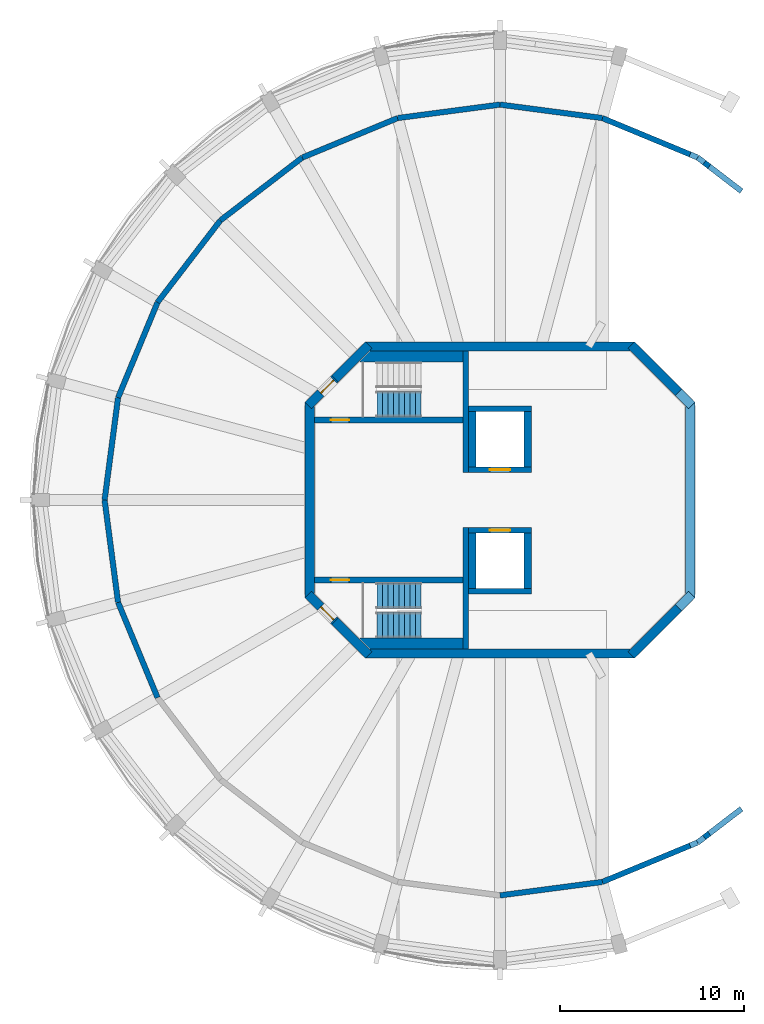
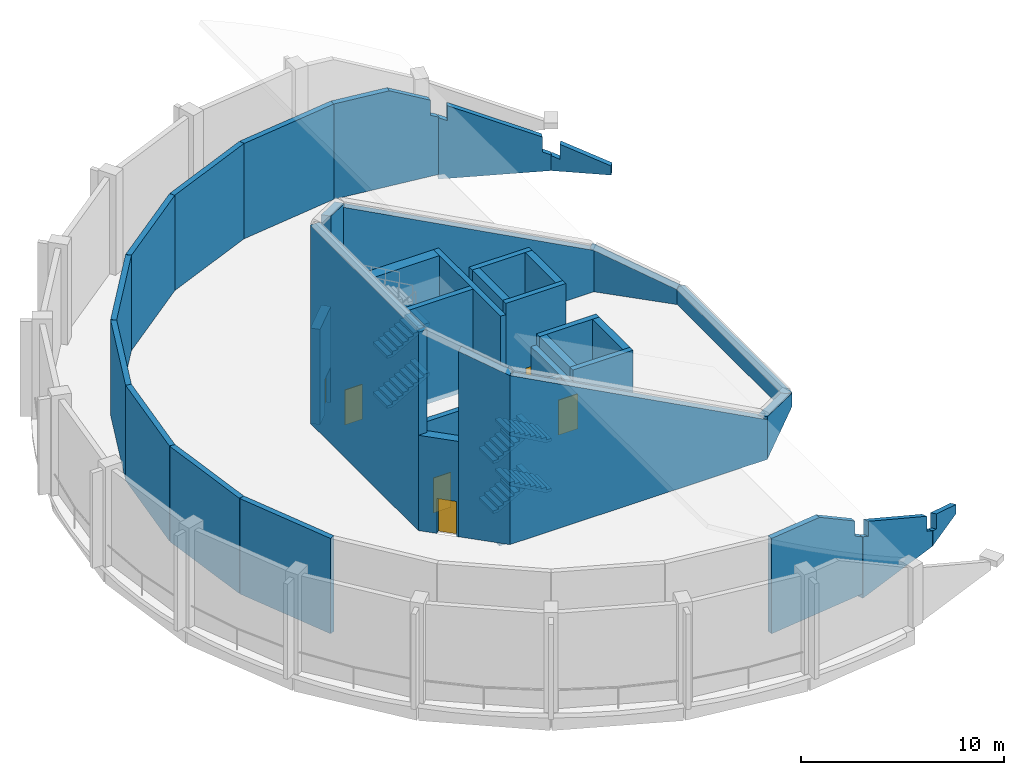
# One storey, part 2 of 5: 38 walls, 6 doors, 6 stair flights, 6 openings, 2 elements without a shape of their own.
"""IFC4 building model written with IfcOpenShell, lengths in metres."""

from ifc_helpers import new_model, si_unit, direction, frame, frame_2d, origin, place, context, subcontext, project, spatial, polyline, rectangle, outline, extrude, material, layer, layer_set, type_object, element, fill, aggregate, save


model = new_model("IFC4")

# Units and contexts
model_context = context("Model", 3, precision=1e-05, world=origin(), true_north=direction((0.0, 1.0)))
body_context = subcontext(model_context, "Body", "Model", "MODEL_VIEW")
ifc_project = project(units=[si_unit("LENGTHUNIT", "METRE"), si_unit("AREAUNIT", "SQUARE_METRE"), si_unit("VOLUMEUNIT", "CUBIC_METRE"), si_unit("PLANEANGLEUNIT", "RADIAN"), si_unit("MASSUNIT", "GRAM", prefix="KILO")], contexts=[model_context])

# Site, building, storey
site_placement = place(None, origin())
site = spatial("IfcSite", under=ifc_project, at=site_placement, CompositionType="ELEMENT")
building_placement = place(site_placement, origin())
building = spatial("IfcBuilding", under=site, at=building_placement, Name="Torre Triforio", CompositionType="ELEMENT")
storey_placement = place(building_placement, frame((0.0, 0.0, 296.800048828125)))
storey = spatial("IfcBuildingStorey", under=building, at=storey_placement, Name="RF-2", CompositionType="ELEMENT", Elevation=296.800048828125)

# Walls
ifc_material_1 = material(Name="Concrete C40", Category="concrete")
ifc_layer_1 = layer(ifc_material_1, 0.5)
ifc_layer_set_1 = layer_set([ifc_layer_1], Name="Concrete C40")
wall_type_1 = type_object("IfcWallType", Name="Core head wall 500 C40", PredefinedType="SOLIDWALL", material=ifc_layer_set_1)
wall_1_placement = place(storey_placement, frame((10.35009765625, -5.30712890625, 0.0), z_axis=(0.0, 0.0, 1.0), x_axis=(0.0, 1.0, 0.0)))
element("IfcWall", 1, at=wall_1_placement, inside=storey, type_object=wall_type_1, Name="WL.HEAD.1", PredefinedType="SOLIDWALL", context=body_context, shape_type="SweptSolid", body=[
    extrude(outline(polyline([(0.0, 0.0), (10.6142578125, 0.0), (10.6142578125, 0.894287109375), (0.0, 0.894287109375), (0.0, 0.0)])), frame((0.0, 0.25, 0.0), z_axis=(0.0, -1.0, 0.0), x_axis=(1.0, 0.0, 0.0)), (0.0, 0.0, 1.0), 0.5),
])
wall_2_placement = place(storey_placement, frame((-7.30712890625, 8.35009765625, 0.0), z_axis=(0.0, 0.0, 1.0), x_axis=(1.0, 0.0, 0.0)))
element("IfcWall", 2, at=wall_2_placement, inside=storey, type_object=wall_type_1, Name="WL.HEAD.2", PredefinedType="SOLIDWALL", context=body_context, shape_type="SweptSolid", body=[
    extrude(outline(polyline([(0.0, 0.0), (14.6142578125, 0.0), (14.6142578125, 2.37939453125), (0.0, 10.14990234375), (0.0, 0.0)])), frame((0.0, 0.25, 0.0), z_axis=(0.0, -1.0, 0.0), x_axis=(1.0, 0.0, 0.0)), (0.0, 0.0, 1.0), 0.5),
])
wall_3_placement = place(storey_placement, frame((7.13037109375, 8.42333984375, 0.0), z_axis=(0.0, 0.0, 1.0), x_axis=(0.707106781187, -0.707106781187, 0.0)))
element("IfcWall", 3, at=wall_3_placement, inside=storey, type_object=wall_type_1, Name="WL.HEAD.3", PredefinedType="SOLIDWALL", context=body_context, shape_type="SweptSolid", body=[
    extrude(outline(polyline([(0.0, 0.0), (4.656982421875, 0.0), (4.65673828125, 0.81640625), (0.0, 2.5673828125), (0.0, 0.0)])), frame((0.0, 0.25, 0.0), z_axis=(0.0, -1.0, 0.0), x_axis=(1.0, 0.0, 0.0)), (0.0, 0.0, 1.0), 0.5),
])
wall_4_placement = place(storey_placement, frame((-8.96875, 6.5849609375, 0.0), z_axis=(0.0, 0.0, 1.0), x_axis=(0.707106781187, 0.707106781187, 0.0)))
element("IfcWall", 4, at=wall_4_placement, inside=storey, type_object=wall_type_1, Name="WL.HEAD.4.2", PredefinedType="SOLIDWALL", context=body_context, shape_type="SweptSolid", body=[
    extrude(outline(polyline([(0.0, 0.0), (2.599853515625, 0.0), (2.599853515625, 10.14990234375), (0.0, 11.127197265625), (0.0, 0.0)])), frame((0.0, 0.25, 0.0), z_axis=(0.0, -1.0, 0.0), x_axis=(1.0, 0.0, 0.0)), (0.0, 0.0, 1.0), 0.5),
])
wall_5_placement = place(storey_placement, frame((-7.30712890625, -8.35009765625, 0.0), z_axis=(0.0, 0.0, 1.0), x_axis=(1.0, 0.0, 0.0)))
element("IfcWall", 5, at=wall_5_placement, inside=storey, type_object=wall_type_1, Name="WL.HEAD.5", PredefinedType="SOLIDWALL", context=body_context, shape_type="SweptSolid", body=[
    extrude(outline(polyline([(0.0, 0.0), (14.6142578125, 0.0), (14.6142578125, 2.37939453125), (0.0, 10.14990234375), (0.0, 0.0)])), frame((0.0, 0.25, 0.0), z_axis=(0.0, -1.0, 0.0), x_axis=(1.0, 0.0, 0.0)), (0.0, 0.0, 1.0), 0.5),
])
wall_6_placement = place(storey_placement, frame((10.42333984375, -5.13037109375, 0.0), z_axis=(0.0, 0.0, 1.0), x_axis=(-0.707106781187, -0.707106781187, 0.0)))
element("IfcWall", 6, at=wall_6_placement, inside=storey, type_object=wall_type_1, Name="WL.HEAD.6", PredefinedType="SOLIDWALL", context=body_context, shape_type="SweptSolid", body=[
    extrude(outline(polyline([(0.0, 0.0), (4.656982421875, 0.0), (4.65673828125, 2.5673828125), (0.0, 0.81640625), (0.0, 0.0)])), frame((0.0, 0.25, 0.0), z_axis=(0.0, -1.0, 0.0), x_axis=(1.0, 0.0, 0.0)), (0.0, 0.0, 1.0), 0.5),
])
wall_7_placement = place(storey_placement, frame((-7.13037109375, -8.42333984375, 0.0), z_axis=(0.0, 0.0, 1.0), x_axis=(-0.707106781187, 0.707106781187, 0.0)))
element("IfcWall", 7, at=wall_7_placement, inside=storey, type_object=wall_type_1, Name="WL.HEAD.7", PredefinedType="SOLIDWALL", context=body_context, shape_type="SweptSolid", body=[
    extrude(outline(polyline([(0.0, 0.0), (2.599853515625, 0.0), (2.599853515625, 11.127197265625), (0.0, 10.14990234375), (0.0, 0.0)])), frame((0.0, 0.25, 0.0), z_axis=(0.0, -1.0, 0.0), x_axis=(1.0, 0.0, 0.0)), (0.0, 0.0, 1.0), 0.5),
])
wall_8_placement = place(storey_placement, frame((-10.35009765625, -5.30712890625, 0.0), z_axis=(0.0, 0.0, 1.0), x_axis=(0.0, 1.0, 0.0)))
element("IfcWall", 8, at=wall_8_placement, inside=storey, type_object=wall_type_1, Name="WL.HEAD.8", PredefinedType="SOLIDWALL", context=body_context, shape_type="SweptSolid", body=[
    extrude(outline(polyline([(0.0, 0.0), (10.6142578125, 0.0), (10.6142578125, 11.900634765625), (0.0, 11.900634765625), (0.0, 0.0)])), frame((0.0, 0.25, 0.0), z_axis=(0.0, -1.0, 0.0), x_axis=(1.0, 0.0, 0.0)), (0.0, 0.0, 1.0), 0.5),
])
ifc_layer_2 = layer(ifc_material_1, 0.300048828125)
ifc_layer_set_2 = layer_set([ifc_layer_2], Name="Concrete C40")
wall_type_2 = type_object("IfcWallType", Name="Core wall 300 mm C40 EI 120", PredefinedType="SHEAR", material=ifc_layer_set_2)
for number, where, z_axis, x_axis, name in (
    (9, (-1.85009765625, 1.5, -0.280029296875), (0.0, 0.0, 1.0), (0.0, 1.0, 0.0), "Core wall"),
    (10, (-1.85009765625, -8.10009765625, -0.280029296875), (0.0, 0.0, 1.0), (0.0, 1.0, 0.0), "Core wall"),
):
    element("IfcWall", number, at=place(storey_placement, frame(where, z_axis=z_axis, x_axis=x_axis)), inside=storey, type_object=wall_type_2, Name=name, PredefinedType="SHEAR", context=body_context, shape_type="SweptSolid", body=[
        extrude(rectangle(XDim=6.60009765625, YDim=0.300048828125, at=frame_2d((3.300048828125, 0.0))), origin(), (0.0, 0.0, 1.0), 6.0),
    ])

# Wall, opening, door
ifc_layer_3 = layer(ifc_material_1, 0.5)
ifc_layer_set_3 = layer_set([ifc_layer_3], Name="Concrete C40")
wall_type_3 = type_object("IfcWallType", Name="Core wall 500 mm C40 EI 120", PredefinedType="SHEAR", material=ifc_layer_set_3)
wall_9_placement = place(storey_placement, frame((-10.42333984375, 5.13037109375, 0.0), z_axis=(0.0, 0.0, 1.0), x_axis=(0.707106781187, 0.707106781187, 0.0)))
wall_9 = element("IfcWall", 11, at=wall_9_placement, inside=storey, type_object=wall_type_3, Name="Core wall", PredefinedType="SHEAR", context=body_context, shape_type="SweptSolid", body=[
    extrude(rectangle(XDim=2.05712890625, YDim=0.5, at=frame_2d((1.028564453125, 0.0))), origin(), (0.0, 0.0, 1.0), 5.719970703125),
])
opening_1_placement = place(wall_9_placement, frame((0.95703125, 0.0, 0.0)))
opening_1 = element("IfcOpeningElement", 12, at=opening_1_placement, cuts=wall_9, Name="Opening ST1-XD", PredefinedType="OPENING", context=body_context, shape_type="SweptSolid", body=[
    extrude(rectangle(XDim=1.0, YDim=2.10009765625, at=frame_2d((0.5, 1.050048828125))), frame((0.0, 0.260009765625, 0.0), z_axis=(0.0, -1.0, 0.0), x_axis=(1.0, 0.0, 0.0)), (0.0, 0.0, 1.0), 0.52001953125),
])
ifc_material_2 = material(Name="Hollow metal fire door leaf")
door_type_1 = type_object("IfcDoorType", Name="Crown stair door 1000 x 2100 EI 90", OperationType="NOTDEFINED", PredefinedType="DOOR", material=ifc_material_2)
door_1_placement = place(opening_1_placement, origin())
door_1 = element("IfcDoor", 13, at=door_1_placement, inside=storey, type_object=door_type_1, Name="Core door ST1-XD", OperationType="SINGLE_SWING_RIGHT", OverallHeight=2.10009765625, OverallWidth=1.0, PredefinedType="DOOR", context=body_context, shape_type="SweptSolid", body=[
    extrude(rectangle(XDim=1.0, YDim=2.10009765625, at=frame_2d((0.5, 1.050048828125))), frame((0.0, 0.02490234375, 0.0), z_axis=(0.0, -1.0, 0.0), x_axis=(1.0, 0.0, 0.0)), (0.0, 0.0, 1.0), 0.050048828125),
])
fill(opening_1, door_1)

wall_10_placement = place(storey_placement, frame((-8.96875, -6.5849609375, 0.0), z_axis=(0.0, 0.0, 1.0), x_axis=(-0.707106781187, 0.707106781187, 0.0)))
wall_10 = element("IfcWall", 14, at=wall_10_placement, inside=storey, type_object=wall_type_3, Name="Core wall", PredefinedType="SHEAR", context=body_context, shape_type="SweptSolid", body=[
    extrude(rectangle(XDim=2.05712890625, YDim=0.5, at=frame_2d((1.028564453125, 0.0))), origin(), (0.0, 0.0, 1.0), 5.719970703125),
])
opening_2_placement = place(wall_10_placement, frame((0.10009765625, 0.0, 0.0)))
opening_2 = element("IfcOpeningElement", 15, at=opening_2_placement, cuts=wall_10, Name="Opening ST3-XD", PredefinedType="OPENING", context=body_context, shape_type="SweptSolid", body=[
    extrude(rectangle(XDim=1.0, YDim=2.10009765625, at=frame_2d((0.5, 1.050048828125))), frame((0.0, 0.260009765625, 0.0), z_axis=(0.0, -1.0, 0.0), x_axis=(1.0, 0.0, 0.0)), (0.0, 0.0, 1.0), 0.52001953125),
])
door_2_placement = place(opening_2_placement, origin())
door_2 = element("IfcDoor", 16, at=door_2_placement, inside=storey, type_object=door_type_1, Name="Core door ST3-XD", OperationType="SINGLE_SWING_LEFT", OverallHeight=2.10009765625, OverallWidth=1.0, PredefinedType="DOOR", context=body_context, shape_type="SweptSolid", body=[
    extrude(rectangle(XDim=1.0, YDim=2.10009765625, at=frame_2d((0.5, 1.050048828125))), frame((0.0, 0.02490234375, 0.0), z_axis=(0.0, -1.0, 0.0), x_axis=(1.0, 0.0, 0.0)), (0.0, 0.0, 1.0), 0.050048828125),
])
fill(opening_2, door_2)

ifc_layer_4 = layer(ifc_material_1, 0.300048828125)
ifc_layer_set_4 = layer_set([ifc_layer_4], Name="Concrete C40")
wall_type_4 = type_object("IfcWallType", Name="Shaft wall 300 mm C40 EI 120", PredefinedType="SOLIDWALL", material=ifc_layer_set_4)
wall_11_placement = place(storey_placement, frame((-1.699951171875, 1.64990234375, -0.280029296875), z_axis=(0.0, 0.0, 1.0), x_axis=(1.0, 0.0, 0.0)))
wall_11 = element("IfcWall", 17, at=wall_11_placement, inside=storey, type_object=wall_type_4, Name="Shaft wall", PredefinedType="SOLIDWALL", context=body_context, shape_type="SweptSolid", body=[
    extrude(rectangle(XDim=3.39990234375, YDim=0.300048828125, at=frame_2d((1.699951171875, 0.0))), origin(), (0.0, 0.0, 1.0), 6.668212890625),
])
opening_3_placement = place(wall_11_placement, frame((1.14990234375, 0.0, 0.280029296875)))
opening_3 = element("IfcOpeningElement", 18, at=opening_3_placement, cuts=wall_11, Name="Opening LD", PredefinedType="OPENING", context=body_context, shape_type="SweptSolid", body=[
    extrude(rectangle(XDim=1.10009765625, YDim=2.10009765625, at=frame_2d((0.550048828125, 1.050048828125))), frame((0.0, 0.159912109375, 0.0), z_axis=(0.0, -1.0, 0.0), x_axis=(1.0, 0.0, 0.0)), (0.0, 0.0, 1.0), 0.320068359375),
])
door_type_2 = type_object("IfcDoorType", Name="Landing door 1100 x 2100 EI 60", OperationType="DOUBLE_DOOR_SLIDING", PredefinedType="DOOR", material=ifc_material_2)
door_3_placement = place(opening_3_placement, origin())
door_3 = element("IfcDoor", 19, at=door_3_placement, inside=storey, type_object=door_type_2, Name="Landing door FFL1", OperationType="DOUBLE_DOOR_SLIDING", OverallHeight=2.10009765625, OverallWidth=1.10009765625, PredefinedType="DOOR", context=body_context, shape_type="SweptSolid", body=[
    extrude(rectangle(XDim=1.10009765625, YDim=2.10009765625, at=frame_2d((0.550048828125, 1.050048828125))), frame((0.0, 0.02490234375, 0.0), z_axis=(0.0, -1.0, 0.0), x_axis=(1.0, 0.0, 0.0)), (0.0, 0.0, 1.0), 0.050048828125),
])
fill(opening_3, door_3)

wall_12_placement = place(storey_placement, frame((-1.699951171875, -1.64990234375, -0.280029296875), z_axis=(0.0, 0.0, 1.0), x_axis=(1.0, 0.0, 0.0)))
wall_12 = element("IfcWall", 20, at=wall_12_placement, inside=storey, type_object=wall_type_4, Name="Shaft wall", PredefinedType="SOLIDWALL", context=body_context, shape_type="SweptSolid", body=[
    extrude(rectangle(XDim=3.39990234375, YDim=0.300048828125, at=frame_2d((1.699951171875, 0.0))), origin(), (0.0, 0.0, 1.0), 6.668212890625),
])
opening_4_placement = place(wall_12_placement, frame((1.14990234375, 0.0, 0.280029296875)))
opening_4 = element("IfcOpeningElement", 21, at=opening_4_placement, cuts=wall_12, Name="Opening LD", PredefinedType="OPENING", context=body_context, shape_type="SweptSolid", body=[
    extrude(rectangle(XDim=1.10009765625, YDim=2.10009765625, at=frame_2d((0.550048828125, 1.050048828125))), frame((0.0, 0.159912109375, 0.0), z_axis=(0.0, -1.0, 0.0), x_axis=(1.0, 0.0, 0.0)), (0.0, 0.0, 1.0), 0.320068359375),
])
door_4_placement = place(opening_4_placement, origin())
door_4 = element("IfcDoor", 22, at=door_4_placement, inside=storey, type_object=door_type_2, Name="Landing door FFL2", OperationType="DOUBLE_DOOR_SLIDING", OverallHeight=2.10009765625, OverallWidth=1.10009765625, PredefinedType="DOOR", context=body_context, shape_type="SweptSolid", body=[
    extrude(rectangle(XDim=1.10009765625, YDim=2.10009765625, at=frame_2d((0.550048828125, 1.050048828125))), frame((0.0, 0.02490234375, 0.0), z_axis=(0.0, -1.0, 0.0), x_axis=(1.0, 0.0, 0.0)), (0.0, 0.0, 1.0), 0.050048828125),
])
fill(opening_4, door_4)

# Walls
for number, where, z_axis, x_axis, name in (
    (23, (-1.699951171875, 4.949951171875, -0.280029296875), (0.0, 0.0, 1.0), (1.0, 0.0, 0.0), "Shaft wall"),
    (24, (-1.699951171875, -4.949951171875, -0.280029296875), (0.0, 0.0, 1.0), (1.0, 0.0, 0.0), "Shaft wall"),
):
    element("IfcWall", number, at=place(storey_placement, frame(where, z_axis=z_axis, x_axis=x_axis)), inside=storey, type_object=wall_type_4, Name=name, PredefinedType="SOLIDWALL", context=body_context, shape_type="SweptSolid", body=[
        extrude(rectangle(XDim=3.39990234375, YDim=0.300048828125, at=frame_2d((1.699951171875, 0.0))), origin(), (0.0, 0.0, 1.0), 6.668212890625),
    ])

# Wall, opening, door
wall_13_placement = place(storey_placement, frame((-10.10009765625, 4.35009765625, -0.280029296875), z_axis=(0.0, 0.0, 1.0), x_axis=(1.0, 0.0, 0.0)))
wall_13 = element("IfcWall", 25, at=wall_13_placement, inside=storey, type_object=wall_type_4, Name="Shaft wall", PredefinedType="SOLIDWALL", context=body_context, shape_type="SweptSolid", body=[
    extrude(rectangle(XDim=8.10009765625, YDim=0.300048828125, at=frame_2d((4.050048828125, 0.0))), origin(), (0.0, 0.0, 1.0), 6.0),
])
opening_5_placement = place(wall_13_placement, frame((0.89990234375, 0.0, 0.280029296875)))
opening_5 = element("IfcOpeningElement", 26, at=opening_5_placement, cuts=wall_13, Name="Opening ST1-RD", PredefinedType="OPENING", context=body_context, shape_type="SweptSolid", body=[
    extrude(rectangle(XDim=1.0, YDim=2.10009765625, at=frame_2d((0.5, 1.050048828125))), frame((0.0, 0.159912109375, 0.0), z_axis=(0.0, -1.0, 0.0), x_axis=(1.0, 0.0, 0.0)), (0.0, 0.0, 1.0), 0.320068359375),
])
door_5_placement = place(opening_5_placement, origin())
door_5 = element("IfcDoor", 27, at=door_5_placement, inside=storey, type_object=door_type_1, Name="Core door ST1-RD", OperationType="SINGLE_SWING_RIGHT", OverallHeight=2.10009765625, OverallWidth=1.0, PredefinedType="DOOR", context=body_context, shape_type="SweptSolid", body=[
    extrude(rectangle(XDim=1.0, YDim=2.10009765625, at=frame_2d((0.5, 1.050048828125))), frame((0.0, 0.02490234375, 0.0), z_axis=(0.0, -1.0, 0.0), x_axis=(1.0, 0.0, 0.0)), (0.0, 0.0, 1.0), 0.050048828125),
])
fill(opening_5, door_5)

wall_14_placement = place(storey_placement, frame((-10.10009765625, -4.35009765625, -0.280029296875), z_axis=(0.0, 0.0, 1.0), x_axis=(1.0, 0.0, 0.0)))
wall_14 = element("IfcWall", 28, at=wall_14_placement, inside=storey, type_object=wall_type_4, Name="Shaft wall", PredefinedType="SOLIDWALL", context=body_context, shape_type="SweptSolid", body=[
    extrude(rectangle(XDim=8.10009765625, YDim=0.300048828125, at=frame_2d((4.050048828125, 0.0))), origin(), (0.0, 0.0, 1.0), 6.0),
])
opening_6_placement = place(wall_14_placement, frame((0.89990234375, 0.0, 0.280029296875)))
opening_6 = element("IfcOpeningElement", 29, at=opening_6_placement, cuts=wall_14, Name="Opening ST3-RD", PredefinedType="OPENING", context=body_context, shape_type="SweptSolid", body=[
    extrude(rectangle(XDim=1.0, YDim=2.10009765625, at=frame_2d((0.5, 1.050048828125))), frame((0.0, 0.159912109375, 0.0), z_axis=(0.0, -1.0, 0.0), x_axis=(1.0, 0.0, 0.0)), (0.0, 0.0, 1.0), 0.320068359375),
])
door_6_placement = place(opening_6_placement, origin())
door_6 = element("IfcDoor", 30, at=door_6_placement, inside=storey, type_object=door_type_1, Name="Core door ST3-RD", OperationType="SINGLE_SWING_LEFT", OverallHeight=2.10009765625, OverallWidth=1.0, PredefinedType="DOOR", context=body_context, shape_type="SweptSolid", body=[
    extrude(rectangle(XDim=1.0, YDim=2.10009765625, at=frame_2d((0.5, 1.050048828125))), frame((0.0, 0.02490234375, 0.0), z_axis=(0.0, -1.0, 0.0), x_axis=(1.0, 0.0, 0.0)), (0.0, 0.0, 1.0), 0.050048828125),
])
fill(opening_6, door_6)

# Walls
ifc_layer_5 = layer(ifc_material_1, 0.39990234375)
ifc_layer_set_5 = layer_set([ifc_layer_5], Name="Concrete C40")
wall_type_5 = type_object("IfcWallType", Name="Shaft wall 400 mm C40 EI 120", PredefinedType="SOLIDWALL", material=ifc_layer_set_5)
for number, where, z_axis, x_axis, name in (
    (31, (-1.5, 1.800048828125, -0.280029296875), (0.0, 0.0, 1.0), (0.0, 1.0, 0.0), "Shaft wall"),
    (32, (-1.5, -4.800048828125, -0.280029296875), (0.0, 0.0, 1.0), (0.0, 1.0, 0.0), "Shaft wall"),
    (33, (1.5, 1.800048828125, -0.280029296875), (0.0, 0.0, 1.0), (0.0, 1.0, 0.0), "Shaft wall"),
    (34, (1.5, -4.800048828125, -0.280029296875), (0.0, 0.0, 1.0), (0.0, 1.0, 0.0), "Shaft wall"),
):
    element("IfcWall", number, at=place(storey_placement, frame(where, z_axis=z_axis, x_axis=x_axis)), inside=storey, type_object=wall_type_5, Name=name, PredefinedType="SOLIDWALL", context=body_context, shape_type="SweptSolid", body=[
        extrude(rectangle(XDim=3.0, YDim=0.39990234375, at=frame_2d((1.5, 0.0))), origin(), (0.0, 0.0, 1.0), 6.668212890625),
    ])
ifc_layer_6 = layer(ifc_material_1, 0.60009765625)
ifc_layer_set_6 = layer_set([ifc_layer_6], Name="Concrete C40")
wall_type_6 = type_object("IfcWallType", Name="Stair wall 600 mm C40 EI 120", PredefinedType="SHEAR", material=ifc_layer_set_6)
for number, where, z_axis, x_axis, name in (
    (35, (-7.610107421875, 7.800048828125, -0.280029296875), (0.0, 0.0, 1.0), (1.0, 0.0, 0.0), "Stair wall"),
    (36, (-7.610107421875, -7.800048828125, -0.280029296875), (0.0, 0.0, 1.0), (1.0, 0.0, 0.0), "Stair wall"),
):
    element("IfcWall", number, at=place(storey_placement, frame(where, z_axis=z_axis, x_axis=x_axis)), inside=storey, type_object=wall_type_6, Name=name, PredefinedType="SHEAR", context=body_context, shape_type="SweptSolid", body=[
        extrude(rectangle(XDim=5.610107421875, YDim=0.60009765625, at=frame_2d((2.80517578125, 0.0))), origin(), (0.0, 0.0, 1.0), 6.0),
    ])
ifc_material_3 = material(Name="Limestone cladding", Category="masonry")
ifc_layer_7 = layer(ifc_material_3, 0.10009765625)
ifc_layer_8 = layer(ifc_material_1, 0.199951171875)
ifc_layer_set_7 = layer_set([ifc_layer_7, ifc_layer_8], Name="Limestone cladding / Concrete C40")
wall_type_7 = type_object("IfcWallType", Name="Stone-faced composite wall 300", PredefinedType="STANDARD", material=ifc_layer_set_7)
wall_15_placement = place(storey_placement, frame((5.564697265625, 20.767333984375, 0.0), z_axis=(0.0, 0.0, 1.0), x_axis=(-0.991443484334, 0.130536651449, 0.0)))
element("IfcWall", 37, at=wall_15_placement, inside=storey, type_object=wall_type_7, Name="Crown wall RF-2 bay 06", PredefinedType="STANDARD", context=body_context, shape_type="SweptSolid", body=[
    extrude(outline(polyline([(0.0, 0.0), (5.61279296875, 0.0), (5.612548828125, 5.719970703125), (2.636962890625, 5.719970703125), (0.451904296875, 4.568115234375), (0.449951171875, 3.6640625), (0.0, 3.4267578125), (0.0, 0.0)])), frame((0.0, 0.14990234375, 0.0), z_axis=(0.0, -1.0, 0.0), x_axis=(1.0, 0.0, 0.0)), (0.0, 0.0, 1.0), 0.300048828125),
])
wall_16_placement = place(storey_placement, frame((0.0, 21.5, 0.0), z_axis=(0.0, 0.0, 1.0), x_axis=(-0.991443484334, -0.130536651449, 0.0)))
element("IfcWall", 38, at=wall_16_placement, inside=storey, type_object=wall_type_7, Name="Crown wall RF-2 bay 07", PredefinedType="STANDARD", context=body_context, shape_type="SweptSolid", body=[
    extrude(outline(polyline([(0.0, 0.0), (5.61279296875, 0.0), (5.612548828125, 5.719970703125), (0.0, 5.719970703125), (0.0, 0.0)])), frame((0.0, 0.14990234375, 0.0), z_axis=(0.0, -1.0, 0.0), x_axis=(1.0, 0.0, 0.0)), (0.0, 0.0, 1.0), 0.300048828125),
])
for number, where, z_axis, x_axis, name in (
    (39, (-5.564697265625, 20.767333984375, 0.0), (0.0, 0.0, 1.0), (-0.92387156362, -0.382702670405, 0.0), "Crown wall RF-2 bay 08"),
    (40, (-10.75, 18.619384765625, 0.0), (0.0, 0.0, 1.0), (-0.793380165925, -0.608726467567, 0.0), "Crown wall RF-2 bay 09"),
    (41, (-15.202880859375, 15.202880859375, 0.0), (0.0, 0.0, 1.0), (-0.608726467567, -0.793380165925, 0.0), "Crown wall RF-2 bay 10"),
    (42, (-18.619384765625, 10.75, 0.0), (0.0, 0.0, 1.0), (-0.382702670405, -0.92387156362, 0.0), "Crown wall RF-2 bay 11"),
):
    element("IfcWall", number, at=place(storey_placement, frame(where, z_axis=z_axis, x_axis=x_axis)), inside=storey, type_object=wall_type_7, Name=name, PredefinedType="STANDARD", context=body_context, shape_type="SweptSolid", body=[
        extrude(outline(polyline([(0.0, 0.0), (5.612548828125, 0.0), (5.612548828125, 5.719970703125), (0.0, 5.719970703125), (0.0, 0.0)])), frame((0.0, 0.14990234375, 0.0), z_axis=(0.0, -1.0, 0.0), x_axis=(1.0, 0.0, 0.0)), (0.0, 0.0, 1.0), 0.300048828125),
    ])
for number, where, z_axis, x_axis, name in (
    (43, (-20.767333984375, 5.564697265625, 0.0), (0.0, 0.0, 1.0), (-0.130536651449, -0.991443484334, 0.0), "Crown wall RF-2 bay 12"),
    (44, (-21.5, 0.0, 0.0), (0.0, 0.0, 1.0), (0.130536651449, -0.991443484334, 0.0), "Crown wall RF-2 bay 13"),
):
    element("IfcWall", number, at=place(storey_placement, frame(where, z_axis=z_axis, x_axis=x_axis)), inside=storey, type_object=wall_type_7, Name=name, PredefinedType="STANDARD", context=body_context, shape_type="SweptSolid", body=[
        extrude(outline(polyline([(0.0, 0.0), (5.61279296875, 0.0), (5.612548828125, 5.719970703125), (0.0, 5.719970703125), (0.0, 0.0)])), frame((0.0, 0.14990234375, 0.0), z_axis=(0.0, -1.0, 0.0), x_axis=(1.0, 0.0, 0.0)), (0.0, 0.0, 1.0), 0.300048828125),
    ])
wall_17_placement = place(storey_placement, frame((-20.767333984375, -5.564697265625, 0.0), z_axis=(0.0, 0.0, 1.0), x_axis=(0.382702670405, -0.92387156362, 0.0)))
element("IfcWall", 45, at=wall_17_placement, inside=storey, type_object=wall_type_7, Name="Crown wall RF-2 bay 14", PredefinedType="STANDARD", context=body_context, shape_type="SweptSolid", body=[
    extrude(outline(polyline([(0.0, 0.0), (5.612548828125, 0.0), (5.612548828125, 5.719970703125), (0.0, 5.719970703125), (0.0, 0.0)])), frame((0.0, 0.14990234375, 0.0), z_axis=(0.0, -1.0, 0.0), x_axis=(1.0, 0.0, 0.0)), (0.0, 0.0, 1.0), 0.300048828125),
])
wall_18_placement = place(storey_placement, frame((0.0, -21.5, 0.0), z_axis=(0.0, 0.0, 1.0), x_axis=(0.991443484334, 0.130536651449, 0.0)))
element("IfcWall", 46, at=wall_18_placement, inside=storey, type_object=wall_type_7, Name="Crown wall RF-2 bay 19", PredefinedType="STANDARD", context=body_context, shape_type="SweptSolid", body=[
    extrude(outline(polyline([(0.0, 0.0), (5.61279296875, 0.0), (5.612548828125, 3.4267578125), (5.16259765625, 3.6640625), (5.16064453125, 4.568115234375), (2.9755859375, 5.719970703125), (0.0, 5.719970703125), (0.0, 0.0)])), frame((0.0, 0.14990234375, 0.0), z_axis=(0.0, -1.0, 0.0), x_axis=(1.0, 0.0, 0.0)), (0.0, 0.0, 1.0), 0.300048828125),
])
wall_19_placement = place(storey_placement, frame((13.13134765625, 16.792236328125, -0.280029296875), z_axis=(0.0, 0.0, 1.0), x_axis=(-0.793373273842, 0.608735450219, 0.0)))
element("IfcWall", 47, at=wall_19_placement, inside=storey, type_object=wall_type_7, Name="Crown wall RF-2 bay 04 east", PredefinedType="STANDARD", context=body_context, shape_type="SweptSolid", body=[
    extrude(outline(polyline([(0.0, 0.0), (3.00146484375, 0.0), (3.001708984375, 0.91162109375), (2.551513671875, 0.7216796875), (2.549560546875, 1.623779296875), (0.0, 0.54833984375), (0.0, 0.0)])), frame((0.0, 0.14990234375, 0.0), z_axis=(0.0, -1.0, 0.0), x_axis=(1.0, 0.0, 0.0)), (0.0, 0.0, 1.0), 0.300048828125),
])
wall_20_placement = place(storey_placement, frame((10.75, 18.619384765625, -0.280029296875), z_axis=(0.0, 0.0, 1.0), x_axis=(-0.92387156362, 0.382702670405, 0.0)))
element("IfcWall", 48, at=wall_20_placement, inside=storey, type_object=wall_type_7, Name="Crown wall RF-2 bay 05 east", PredefinedType="STANDARD", context=body_context, shape_type="SweptSolid", body=[
    extrude(outline(polyline([(0.0, 0.0), (5.612548828125, 0.0), (5.612548828125, 3.686767578125), (5.16259765625, 3.465576171875), (5.16064453125, 4.36767578125), (0.451904296875, 2.0546875), (0.449951171875, 1.150634765625), (0.0, 0.9296875), (0.0, 0.0)])), frame((0.0, 0.14990234375, 0.0), z_axis=(0.0, -1.0, 0.0), x_axis=(1.0, 0.0, 0.0)), (0.0, 0.0, 1.0), 0.300048828125),
])
wall_21_placement = place(storey_placement, frame((5.564697265625, -20.767333984375, -0.280029296875), z_axis=(0.0, 0.0, 1.0), x_axis=(0.92387156362, 0.382702670405, 0.0)))
element("IfcWall", 49, at=wall_21_placement, inside=storey, type_object=wall_type_7, Name="Crown wall RF-2 bay 20 east", PredefinedType="STANDARD", context=body_context, shape_type="SweptSolid", body=[
    extrude(outline(polyline([(0.0, 0.0), (5.612548828125, 0.0), (5.612548828125, 0.9296875), (5.16259765625, 1.150634765625), (5.16064453125, 2.0546875), (0.451904296875, 4.36767578125), (0.449951171875, 3.465576171875), (0.0, 3.686767578125), (0.0, 0.0)])), frame((0.0, 0.14990234375, 0.0), z_axis=(0.0, -1.0, 0.0), x_axis=(1.0, 0.0, 0.0)), (0.0, 0.0, 1.0), 0.300048828125),
])
wall_22_placement = place(storey_placement, frame((10.75, -18.619384765625, -0.280029296875), z_axis=(0.0, 0.0, 1.0), x_axis=(0.793373273842, 0.608735450219, 0.0)))
element("IfcWall", 50, at=wall_22_placement, inside=storey, type_object=wall_type_7, Name="Crown wall RF-2 bay 21 east", PredefinedType="STANDARD", context=body_context, shape_type="SweptSolid", body=[
    extrude(outline(polyline([(0.0, 0.0), (3.00146484375, 0.0), (3.001708984375, 0.54833984375), (0.451904296875, 1.623779296875), (0.449951171875, 0.7216796875), (0.0, 0.91162109375), (0.0, 0.0)])), frame((0.0, 0.14990234375, 0.0), z_axis=(0.0, -1.0, 0.0), x_axis=(1.0, 0.0, 0.0)), (0.0, 0.0, 1.0), 0.300048828125),
])

# Stair, stair flights
stair_type = type_object("IfcStairType", Name="STAIR DOUBLE RETURN", PredefinedType="DOUBLE_RETURN_STAIR", material=ifc_material_1)
stair_1_placement = place(storey_placement, origin())
stair_1 = element("IfcStair", 51, at=stair_1_placement, inside=storey, type_object=stair_type, Name="Exit stair 1", PredefinedType="DOUBLE_RETURN_STAIR")
stair_flight_type = type_object("IfcStairFlightType", Name="STAIR FLIGHT 1400", PredefinedType="STRAIGHT", material=ifc_material_1)
stair_flight_1_placement = place(storey_placement, frame((-6.699951171875, 5.199951171875, 0.0), z_axis=(0.0, 0.0, 1.0), x_axis=(1.0, 0.0, 0.0)))
stair_flight_1 = element("IfcStairFlight", 52, at=stair_flight_1_placement, type_object=stair_flight_type, Name="ST1 flight 1", NumberOfRisers=9, NumberOfTreads=8, PredefinedType="STRAIGHT", RiserHeight=0.166666667, TreadLength=0.3, context=body_context, shape_type="SweptSolid", body=[
    extrude(outline(polyline([(0.0, 0.0), (0.0, 0.166748046875), (0.300048828125, 0.166748046875), (0.300048828125, 0.333251953125), (0.60009765625, 0.333251953125), (0.60009765625, 0.5), (0.89990234375, 0.5), (0.89990234375, 0.666748046875), (1.199951171875, 0.666748046875), (1.199951171875, 0.833251953125), (1.5, 0.833251953125), (1.5, 1.0), (1.800048828125, 1.0), (1.800048828125, 1.166748046875), (2.10009765625, 1.166748046875), (2.10009765625, 1.333251953125), (2.39990234375, 1.333251953125), (2.39990234375, 1.5), (2.39990234375, 1.161865234375), (0.30859375, 0.0), (0.0, 0.0)])), frame((0.0, 0.699951171875, 0.0), z_axis=(0.0, -1.0, 0.0), x_axis=(1.0, 0.0, 0.0)), (0.0, 0.0, 1.0), 1.39990234375),
])
stair_flight_2_placement = place(storey_placement, frame((-6.699951171875, 5.199951171875, 3.0), z_axis=(0.0, 0.0, 1.0), x_axis=(1.0, 0.0, 0.0)))
stair_flight_2 = element("IfcStairFlight", 53, at=stair_flight_2_placement, type_object=stair_flight_type, Name="ST1 flight 3", NumberOfRisers=9, NumberOfTreads=8, PredefinedType="STRAIGHT", RiserHeight=0.166666667, TreadLength=0.3, context=body_context, shape_type="SweptSolid", body=[
    extrude(outline(polyline([(0.0, 0.0), (0.0, 0.166748046875), (0.300048828125, 0.166748046875), (0.300048828125, 0.333251953125), (0.60009765625, 0.333251953125), (0.60009765625, 0.5), (0.89990234375, 0.5), (0.89990234375, 0.666748046875), (1.199951171875, 0.666748046875), (1.199951171875, 0.833251953125), (1.5, 0.833251953125), (1.5, 1.0), (1.800048828125, 1.0), (1.800048828125, 1.166748046875), (2.10009765625, 1.166748046875), (2.10009765625, 1.333251953125), (2.39990234375, 1.333251953125), (2.39990234375, 1.5), (2.39990234375, 1.161865234375), (0.30859375, 0.0), (0.0, 0.0)])), frame((0.0, 0.699951171875, 0.0), z_axis=(0.0, -1.0, 0.0), x_axis=(1.0, 0.0, 0.0)), (0.0, 0.0, 1.0), 1.39990234375),
])
aggregate(stair_1, [stair_flight_1, stair_flight_2])

stair_2_placement = place(storey_placement, origin())
stair_2 = element("IfcStair", 54, at=stair_2_placement, inside=storey, type_object=stair_type, Name="Exit stair 3", PredefinedType="DOUBLE_RETURN_STAIR")
stair_flight_3_placement = place(storey_placement, frame((-6.699951171875, -5.199951171875, 0.0), z_axis=(0.0, 0.0, 1.0), x_axis=(1.0, 0.0, 0.0)))
stair_flight_3 = element("IfcStairFlight", 55, at=stair_flight_3_placement, type_object=stair_flight_type, Name="ST3 flight 1", NumberOfRisers=9, NumberOfTreads=8, PredefinedType="STRAIGHT", RiserHeight=0.166666667, TreadLength=0.3, context=body_context, shape_type="SweptSolid", body=[
    extrude(outline(polyline([(0.0, 0.0), (0.0, 0.166748046875), (0.300048828125, 0.166748046875), (0.300048828125, 0.333251953125), (0.60009765625, 0.333251953125), (0.60009765625, 0.5), (0.89990234375, 0.5), (0.89990234375, 0.666748046875), (1.199951171875, 0.666748046875), (1.199951171875, 0.833251953125), (1.5, 0.833251953125), (1.5, 1.0), (1.800048828125, 1.0), (1.800048828125, 1.166748046875), (2.10009765625, 1.166748046875), (2.10009765625, 1.333251953125), (2.39990234375, 1.333251953125), (2.39990234375, 1.5), (2.39990234375, 1.161865234375), (0.30859375, 0.0), (0.0, 0.0)])), frame((0.0, 0.699951171875, 0.0), z_axis=(0.0, -1.0, 0.0), x_axis=(1.0, 0.0, 0.0)), (0.0, 0.0, 1.0), 1.39990234375),
])
stair_flight_4_placement = place(storey_placement, frame((-4.300048828125, -6.800048828125, 1.5), z_axis=(0.0, 0.0, 1.0), x_axis=(-1.0, 0.0, 0.0)))
stair_flight_4 = element("IfcStairFlight", 56, at=stair_flight_4_placement, type_object=stair_flight_type, Name="ST3 flight 2", NumberOfRisers=9, NumberOfTreads=8, PredefinedType="STRAIGHT", RiserHeight=0.166666667, TreadLength=0.3, context=body_context, shape_type="SweptSolid", body=[
    extrude(outline(polyline([(0.0, 0.0), (0.0, 0.166748046875), (0.300048828125, 0.166748046875), (0.300048828125, 0.333251953125), (0.60009765625, 0.333251953125), (0.60009765625, 0.5), (0.89990234375, 0.5), (0.89990234375, 0.666748046875), (1.199951171875, 0.666748046875), (1.199951171875, 0.833251953125), (1.5, 0.833251953125), (1.5, 1.0), (1.800048828125, 1.0), (1.800048828125, 1.166748046875), (2.10009765625, 1.166748046875), (2.10009765625, 1.333251953125), (2.39990234375, 1.333251953125), (2.39990234375, 1.5), (2.39990234375, 1.161865234375), (0.30859375, 0.0), (0.0, 0.0)])), frame((0.0, 0.699951171875, 0.0), z_axis=(0.0, -1.0, 0.0), x_axis=(1.0, 0.0, 0.0)), (0.0, 0.0, 1.0), 1.39990234375),
])
stair_flight_5_placement = place(storey_placement, frame((-6.699951171875, -5.199951171875, 3.0), z_axis=(0.0, 0.0, 1.0), x_axis=(1.0, 0.0, 0.0)))
stair_flight_5 = element("IfcStairFlight", 57, at=stair_flight_5_placement, type_object=stair_flight_type, Name="ST3 flight 3", NumberOfRisers=9, NumberOfTreads=8, PredefinedType="STRAIGHT", RiserHeight=0.166666667, TreadLength=0.3, context=body_context, shape_type="SweptSolid", body=[
    extrude(outline(polyline([(0.0, 0.0), (0.0, 0.166748046875), (0.300048828125, 0.166748046875), (0.300048828125, 0.333251953125), (0.60009765625, 0.333251953125), (0.60009765625, 0.5), (0.89990234375, 0.5), (0.89990234375, 0.666748046875), (1.199951171875, 0.666748046875), (1.199951171875, 0.833251953125), (1.5, 0.833251953125), (1.5, 1.0), (1.800048828125, 1.0), (1.800048828125, 1.166748046875), (2.10009765625, 1.166748046875), (2.10009765625, 1.333251953125), (2.39990234375, 1.333251953125), (2.39990234375, 1.5), (2.39990234375, 1.161865234375), (0.30859375, 0.0), (0.0, 0.0)])), frame((0.0, 0.699951171875, 0.0), z_axis=(0.0, -1.0, 0.0), x_axis=(1.0, 0.0, 0.0)), (0.0, 0.0, 1.0), 1.39990234375),
])
stair_flight_6_placement = place(storey_placement, frame((-4.300048828125, -6.800048828125, 4.5), z_axis=(0.0, 0.0, 1.0), x_axis=(-1.0, 0.0, 0.0)))
stair_flight_6 = element("IfcStairFlight", 58, at=stair_flight_6_placement, type_object=stair_flight_type, Name="ST3 flight 4", NumberOfRisers=9, NumberOfTreads=8, PredefinedType="STRAIGHT", RiserHeight=0.166666667, TreadLength=0.3, context=body_context, shape_type="SweptSolid", body=[
    extrude(outline(polyline([(0.0, 0.0), (0.0, 0.166748046875), (0.300048828125, 0.166748046875), (0.300048828125, 0.333251953125), (0.60009765625, 0.333251953125), (0.60009765625, 0.5), (0.89990234375, 0.5), (0.89990234375, 0.666748046875), (1.199951171875, 0.666748046875), (1.199951171875, 0.833251953125), (1.5, 0.833251953125), (1.5, 1.0), (1.800048828125, 1.0), (1.800048828125, 1.166748046875), (2.10009765625, 1.166748046875), (2.10009765625, 1.333251953125), (2.39990234375, 1.333251953125), (2.39990234375, 1.5), (2.39990234375, 1.161865234375), (0.30859375, 0.0), (0.0, 0.0)])), frame((0.0, 0.699951171875, 0.0), z_axis=(0.0, -1.0, 0.0), x_axis=(1.0, 0.0, 0.0)), (0.0, 0.0, 1.0), 1.39990234375),
])
aggregate(stair_2, [stair_flight_3, stair_flight_4, stair_flight_5, stair_flight_6])

save(model, "model.ifc")
